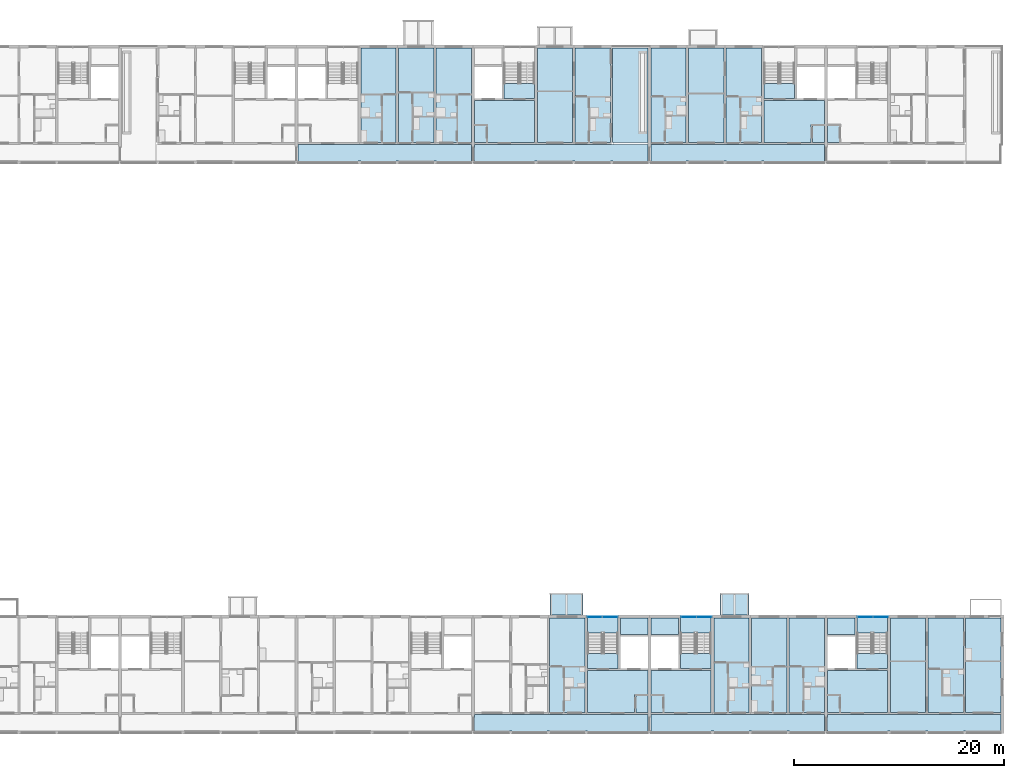
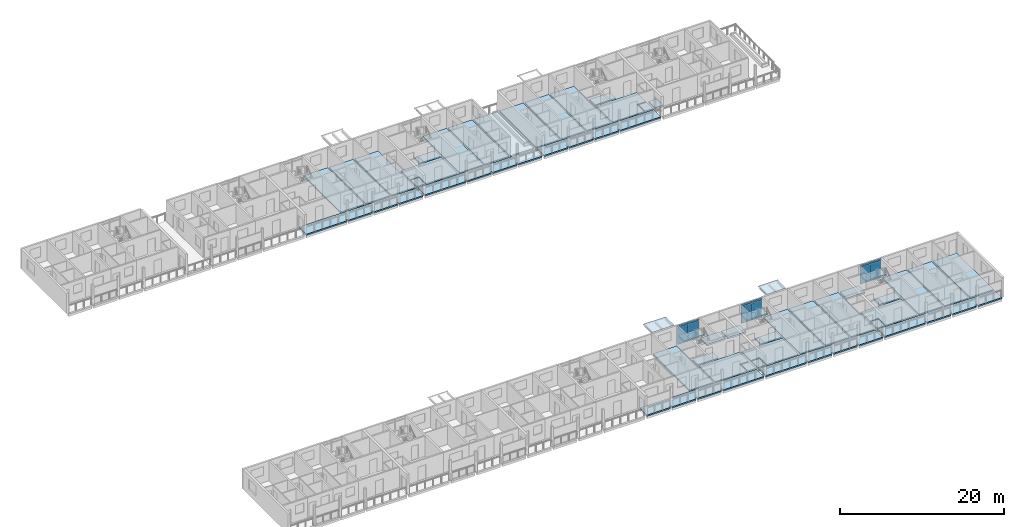
# One storey, part 27 of 94: 46 slabs, 12 plates, 6 elements without a shape of their own.
"""IFC4 building model written with IfcOpenShell, lengths in metres."""

import ifcopenshell
import ifcopenshell.guid

model = None  # the IFC model being written
_history = None  # IfcOwnerHistory: only IFC2X3 demands one
_inside = {}  # id of a spatial element -> (the spatial element, [elements in it])
_under = {}  # id of a project, library or spatial element -> (it, [spatial elements below it])
_declared = {}  # id of a project -> (the project, [libraries it declares])
_typed = {}  # id of a type object -> (the type object, [elements of that type])
_made_of = {}  # id of a material, layer set ... -> (it, [elements and type objects made of it])


def new_model(schema):
    """Start an empty IFC model of exactly this schema.

    Asked for "IFC4X3", IfcOpenShell would pick the latest addendum, in which some entities
    have other attributes; the version numbers below select the first issue.
    IFC2X3 requires an IfcOwnerHistory on every rooted entity: one is made here for all.
    """
    global model, _history
    if schema == "IFC4X3":
        model = ifcopenshell.file(schema_version=(4, 3, 0, 0))
    else:
        model = ifcopenshell.file(schema=schema)
    _inside.clear()
    _under.clear()
    _declared.clear()
    _typed.clear()
    _made_of.clear()
    _history = None
    if model.schema == "IFC2X3":
        org = make("IfcOrganization", Name="unknown")
        user = make(
            "IfcPersonAndOrganization",
            ThePerson=make("IfcPerson", FamilyName="unknown"),
            TheOrganization=org,
        )
        app = make(
            "IfcApplication",
            ApplicationDeveloper=org,
            Version="unknown",
            ApplicationFullName="unknown",
            ApplicationIdentifier="unknown",
        )
        _history = make(
            "IfcOwnerHistory",
            OwningUser=user,
            OwningApplication=app,
            ChangeAction="ADDED",
            CreationDate=0,
        )
    return model


def make(cls, **values):
    """One entity of the class cls with the attributes given. An attribute that is None is left unset."""
    return model.create_entity(
        cls, **{name: value for name, value in values.items() if value is not None}
    )


def rooted(cls, **values):
    """An entity with a GlobalId (a new one), such as an element, a storey or a relation."""
    return make(cls, GlobalId=ifcopenshell.guid.new(), OwnerHistory=_history, **values)


def si_unit(unit_type, name, prefix=None):
    """IfcSIUnit, for example si_unit("LENGTHUNIT", "METRE", prefix="MILLI")."""
    return make("IfcSIUnit", UnitType=unit_type, Prefix=prefix, Name=name)


def assignment(units):
    """IfcUnitAssignment: the units of a project."""
    return None if units is None else make("IfcUnitAssignment", Units=units)


def point(xyz):
    """IfcCartesianPoint."""
    return None if xyz is None else make("IfcCartesianPoint", Coordinates=xyz)


def direction(xyz):
    """IfcDirection."""
    return None if xyz is None else make("IfcDirection", DirectionRatios=xyz)


def frame(location, z_axis=None, x_axis=None):
    """IfcAxis2Placement3D, a coordinate frame: its origin and axes. An axis left out is left unset."""
    return make(
        "IfcAxis2Placement3D",
        Location=point(location),
        Axis=direction(z_axis),
        RefDirection=direction(x_axis),
    )


def frame_2d(location, x_axis=None):
    """IfcAxis2Placement2D, a coordinate frame in the plane: its origin and x axis."""
    return make(
        "IfcAxis2Placement2D", Location=point(location), RefDirection=direction(x_axis)
    )


def origin():
    """The frame at (0, 0, 0) with its axes left unset."""
    return frame((0.0, 0.0, 0.0))


def origin_2d():
    """The frame at (0, 0) in the plane with its x axis left unset."""
    return frame_2d((0.0, 0.0))


def place(relative_to, where):
    """IfcLocalPlacement: puts the frame where relative to a parent placement (None: the world)."""
    return make(
        "IfcLocalPlacement", PlacementRelTo=relative_to, RelativePlacement=where
    )


def context(
    kind, dimensions, precision=None, world=None, true_north=None, identifier=None
):
    """IfcGeometricRepresentationContext, for example the 3D "Model" context."""
    return make(
        "IfcGeometricRepresentationContext",
        ContextIdentifier=identifier,
        ContextType=kind,
        CoordinateSpaceDimension=dimensions,
        Precision=precision,
        WorldCoordinateSystem=world,
        TrueNorth=true_north,
    )


def subcontext(parent, identifier, kind, view, scale=None):
    """IfcGeometricRepresentationSubContext, for example "Body" below "Model"."""
    return make(
        "IfcGeometricRepresentationSubContext",
        ContextIdentifier=identifier,
        ContextType=kind,
        ParentContext=parent,
        TargetScale=scale,
        TargetView=view,
    )


def project(units=None, contexts=None):
    """IfcProject with its units and contexts."""
    return rooted(
        "IfcProject",
        Name="project",
        RepresentationContexts=contexts,
        UnitsInContext=assignment(units),
    )


def spatial(cls, under=None, at=None, **own):
    """A site, building, storey or space (cls), placed at a placement, below another one or the project."""
    s = rooted(cls, ObjectPlacement=at, **own)
    if under is not None:
        _under.setdefault(under.id(), (under, []))[1].append(s)
    return s


def polyline(points):
    """IfcPolyline through the points."""
    return make("IfcPolyline", Points=[point(p) for p in points])


def profile(cls, at=None, kind="AREA", **sizes):
    """A parametric profile (cls). Its sizes go by their IFC names, for example OverallWidth=200.0."""
    return make(cls, ProfileType=kind, Position=at, **sizes)


def rectangle(**sizes):
    """IfcRectangleProfileDef."""
    return profile("IfcRectangleProfileDef", **sizes)


def outline(outer, holes=None, kind="AREA"):
    """IfcArbitraryClosedProfileDef: a profile drawn as a closed curve; with holes, ...WithVoids."""
    if holes is None:
        return make("IfcArbitraryClosedProfileDef", ProfileType=kind, OuterCurve=outer)
    return make(
        "IfcArbitraryProfileDefWithVoids",
        ProfileType=kind,
        OuterCurve=outer,
        InnerCurves=holes,
    )


def extrude(swept, where, along, depth):
    """IfcExtrudedAreaSolid: the profile swept, set in the frame where, extruded along a direction by depth."""
    return make(
        "IfcExtrudedAreaSolid",
        SweptArea=swept,
        Position=where,
        ExtrudedDirection=direction(along),
        Depth=depth,
    )


def shape(context_of_items, identifier, shape_type, items):
    """IfcShapeRepresentation: the items that make up one representation, for example the "Body"."""
    return make(
        "IfcShapeRepresentation",
        ContextOfItems=context_of_items,
        RepresentationIdentifier=identifier,
        RepresentationType=shape_type,
        Items=items,
    )


def material(Name=None, Category=None):
    """IfcMaterial."""
    return make("IfcMaterial", Name=Name, Category=Category)


def layer(
    of_material, thickness, ventilated=None, Name=None, Category=None, Priority=None
):
    """IfcMaterialLayer: one layer of a wall or slab, of a material (None: an air gap)."""
    return make(
        "IfcMaterialLayer",
        Material=of_material,
        LayerThickness=thickness,
        IsVentilated=ventilated,
        Name=Name,
        Category=Category,
        Priority=Priority,
    )


def layer_set(layers, Name=None):
    """IfcMaterialLayerSet."""
    return make("IfcMaterialLayerSet", MaterialLayers=layers, LayerSetName=Name)


def made_of(thing, what):
    """Note that an element or type object is made of a material, layer set ...; save() writes the relation."""
    if what is not None:
        _made_of.setdefault(what.id(), (what, []))[1].append(thing)
    return thing


def type_object(cls, material=None, **own):
    """A type object (cls), such as IfcWallType, which elements share."""
    return made_of(rooted(cls, **own), material)


def element(
    cls,
    number,
    at=None,
    inside=None,
    cuts=None,
    type_object=None,
    material=None,
    context=None,
    identifier="Body",
    shape_type=None,
    held_by="IfcProductDefinitionShape",
    body=None,
    shapes=None,
    **own,
):
    """One element of the class cls, such as IfcWall. Its Tag is "e" and its number.

    at: its placement. inside: the storey or other place that contains it. cuts: it is an
    opening in that element (IfcRelVoidsElement). A single representation is given by context,
    identifier, shape_type and body (its items); several are given by shapes. held_by: the class
    of the entity that holds the representations. save() writes the other relations.
    """
    e = rooted(cls, Tag="e%d" % number, ObjectPlacement=at, **own)
    if body is not None:
        shapes = [shape(context, identifier, shape_type, body)]
    if shapes is not None:
        e.Representation = make(held_by, Representations=shapes)
    if inside is not None:
        _inside.setdefault(inside.id(), (inside, []))[1].append(e)
    if cuts is not None:
        rooted(
            "IfcRelVoidsElement", RelatingBuildingElement=cuts, RelatedOpeningElement=e
        )
    if type_object is not None:
        _typed.setdefault(type_object.id(), (type_object, []))[1].append(e)
    return made_of(e, material)


def aggregate(whole, parts):
    """IfcRelAggregates: a whole, such as a stair, and the parts it consists of."""
    return rooted("IfcRelAggregates", RelatingObject=whole, RelatedObjects=parts)


def save(model, path):
    """Write the relations noted so far, then the file.

    IfcRelAggregates (storeys below a building ...), IfcRelContainedInSpatialStructure (elements
    in a storey), IfcRelDefinesByType, IfcRelAssociatesMaterial and IfcRelDeclares: one each for
    every whole, place, type object, material and project.
    """
    for whole, parts in _under.values():
        aggregate(whole, parts)
    for where, things in _inside.values():
        rooted(
            "IfcRelContainedInSpatialStructure",
            RelatedElements=things,
            RelatingStructure=where,
        )
    for kind, things in _typed.values():
        rooted("IfcRelDefinesByType", RelatedObjects=things, RelatingType=kind)
    for what, things in _made_of.values():
        rooted("IfcRelAssociatesMaterial", RelatedObjects=things, RelatingMaterial=what)
    for by, libraries in _declared.values():
        rooted("IfcRelDeclares", RelatingContext=by, RelatedDefinitions=libraries)
    model.write(path)


model = new_model("IFC4")

# Units and contexts
model_context = context("Model", 3, precision=1e-05, world=origin(), true_north=direction((0.0, 1.0)))
body_context = subcontext(model_context, "Body", "Model", "MODEL_VIEW")
ifc_project = project(units=[si_unit("LENGTHUNIT", "METRE"), si_unit("AREAUNIT", "SQUARE_METRE"), si_unit("VOLUMEUNIT", "CUBIC_METRE"), si_unit("PLANEANGLEUNIT", "RADIAN"), si_unit("MASSUNIT", "GRAM", prefix="KILO")], contexts=[model_context])

# Site, building, storey
site_placement = place(None, origin())
site = spatial("IfcSite", under=ifc_project, at=site_placement, CompositionType="ELEMENT")
building_placement = place(site_placement, origin())
building = spatial("IfcBuilding", under=site, at=building_placement, Name="Ridgestep Commons", CompositionType="ELEMENT")
storey_placement = place(building_placement, frame((0.0, 0.0, 21.0)))
storey = spatial("IfcBuildingStorey", under=building, at=storey_placement, Name="L07", CompositionType="ELEMENT", Elevation=21.0)

# Slabs
ifc_material_1 = material(Name="Precast concrete C40/50", Category="concrete")
ifc_layer_1 = layer(ifc_material_1, 0.199951171875)
ifc_layer_set_1 = layer_set([ifc_layer_1], Name="Gallery slab 200")
slab_type_1 = type_object("IfcSlabType", Name="Gallery slab 200", PredefinedType="FLOOR", material=ifc_layer_set_1)
slab_1_placement = place(storey_placement, frame((0.0, 0.0, -0.199951171875)))
element("IfcSlab", 1, at=slab_1_placement, inside=storey, type_object=slab_type_1, Name="Gallery slab C3 L07", PredefinedType="FLOOR", context=body_context, shape_type="SweptSolid", body=[
    extrude(outline(polyline([(197.050048828125, 67.800048828125), (180.550048828125, 67.800048828125), (180.550048828125, 66.0), (186.27490234375, 66.0), (186.27490234375, 66.25), (186.52490234375, 66.25), (186.52490234375, 66.0), (189.875, 66.0), (189.875, 66.25), (190.125, 66.25), (190.125, 66.0), (193.47509765625, 66.0), (193.47509765625, 66.25), (193.72509765625, 66.25), (193.72509765625, 66.0), (197.050048828125, 66.0), (197.050048828125, 67.800048828125)])), origin(), (0.0, 0.0, 1.0), 0.199951171875),
])
slab_2_placement = place(storey_placement, frame((0.0, 0.0, -0.199951171875)))
element("IfcSlab", 2, at=slab_2_placement, inside=storey, type_object=slab_type_1, Name="Gallery slab C4 L07", PredefinedType="FLOOR", context=body_context, shape_type="SweptSolid", body=[
    extrude(outline(polyline([(213.85009765625, 67.800048828125), (197.35009765625, 67.800048828125), (197.35009765625, 66.0), (203.074951171875, 66.0), (203.074951171875, 66.25), (203.324951171875, 66.25), (203.324951171875, 66.0), (206.675048828125, 66.0), (206.675048828125, 66.25), (206.925048828125, 66.25), (206.925048828125, 66.0), (210.27490234375, 66.0), (210.27490234375, 66.25), (210.52490234375, 66.25), (210.52490234375, 66.0), (213.85009765625, 66.0), (213.85009765625, 67.800048828125)])), origin(), (0.0, 0.0, 1.0), 0.199951171875),
])
slab_3_placement = place(storey_placement, frame((0.0, 0.0, -0.199951171875)))
element("IfcSlab", 3, at=slab_3_placement, inside=storey, type_object=slab_type_1, Name="Gallery slab C5 L07", PredefinedType="FLOOR", context=body_context, shape_type="SweptSolid", body=[
    extrude(outline(polyline([(230.64990234375, 67.800048828125), (214.14990234375, 67.800048828125), (214.14990234375, 66.0), (217.47509765625, 66.0), (217.47509765625, 66.25), (217.72509765625, 66.25), (217.72509765625, 66.0), (221.074951171875, 66.0), (221.074951171875, 66.25), (221.324951171875, 66.25), (221.324951171875, 66.0), (224.675048828125, 66.0), (224.675048828125, 66.25), (224.925048828125, 66.25), (224.925048828125, 66.0), (230.64990234375, 66.0), (230.64990234375, 67.800048828125)])), origin(), (0.0, 0.0, 1.0), 0.199951171875),
])
slab_4_placement = place(storey_placement, frame((0.0, 0.0, -0.199951171875)))
element("IfcSlab", 4, at=slab_4_placement, inside=storey, type_object=slab_type_1, Name="Gallery slab D4 L07", PredefinedType="FLOOR", context=body_context, shape_type="SweptSolid", body=[
    extrude(outline(polyline([(213.85009765625, 13.550048828125), (197.35009765625, 13.550048828125), (197.35009765625, 11.75), (200.675048828125, 11.75), (200.675048828125, 12.0), (200.925048828125, 12.0), (200.925048828125, 11.75), (204.27490234375, 11.75), (204.27490234375, 12.0), (204.52490234375, 12.0), (204.52490234375, 11.75), (207.875, 11.75), (207.875, 12.0), (208.125, 12.0), (208.125, 11.75), (213.85009765625, 11.75), (213.85009765625, 13.550048828125)])), origin(), (0.0, 0.0, 1.0), 0.199951171875),
])
slab_5_placement = place(storey_placement, frame((0.0, 0.0, -0.199951171875)))
element("IfcSlab", 5, at=slab_5_placement, inside=storey, type_object=slab_type_1, Name="Gallery slab D5 L07", PredefinedType="FLOOR", context=body_context, shape_type="SweptSolid", body=[
    extrude(outline(polyline([(230.64990234375, 13.550048828125), (214.14990234375, 13.550048828125), (214.14990234375, 11.75), (219.875, 11.75), (219.875, 12.0), (220.125, 12.0), (220.125, 11.75), (223.47509765625, 11.75), (223.47509765625, 12.0), (223.72509765625, 12.0), (223.72509765625, 11.75), (227.074951171875, 11.75), (227.074951171875, 12.0), (227.324951171875, 12.0), (227.324951171875, 11.75), (230.64990234375, 11.75), (230.64990234375, 13.550048828125)])), origin(), (0.0, 0.0, 1.0), 0.199951171875),
])
slab_6_placement = place(storey_placement, frame((0.0, 0.0, -0.199951171875)))
element("IfcSlab", 6, at=slab_6_placement, inside=storey, type_object=slab_type_1, Name="Gallery slab D6 L07", PredefinedType="FLOOR", context=body_context, shape_type="SweptSolid", body=[
    extrude(outline(polyline([(247.449951171875, 13.550048828125), (230.949951171875, 13.550048828125), (230.949951171875, 11.75), (236.675048828125, 11.75), (236.675048828125, 12.0), (236.925048828125, 12.0), (236.925048828125, 11.75), (240.27490234375, 11.75), (240.27490234375, 12.0), (240.52490234375, 12.0), (240.52490234375, 11.75), (243.875, 11.75), (243.875, 12.0), (244.125, 12.0), (244.125, 11.75), (247.449951171875, 11.75), (247.449951171875, 13.550048828125)])), origin(), (0.0, 0.0, 1.0), 0.199951171875),
])

# Curtain wall, plates
ifc_material_2 = material(Name="Aluminium 6063-T6 and glass", Category="aluminium")
curtain_wall_type = type_object("IfcCurtainWallType", Name="Curtain wall stair strip", PredefinedType="NOTDEFINED", material=ifc_material_2)
curtain_wall_1_placement = place(storey_placement, origin())
curtain_wall_1 = element("IfcCurtainWall", 7, at=curtain_wall_1_placement, inside=storey, type_object=curtain_wall_type, Name="Curtain wall D4C level 07", PredefinedType="NOTDEFINED")
ifc_material_3 = material(Name="Glass laminated 6/16/6 low-emissivity", Category="glass")
ifc_layer_2 = layer(ifc_material_3, 0.028076171875)
ifc_layer_set_2 = layer_set([ifc_layer_2], Name="Glazing panel 28")
plate_type_1 = type_object("IfcPlateType", Name="Glazing panel 28", PredefinedType="CURTAIN_PANEL", material=ifc_layer_set_2)
plate_1_placement = place(storey_placement, frame((208.771240234375, 22.830078125, 0.06005859375), z_axis=(0.0, 0.0, 1.0), x_axis=(1.0, 0.0, 0.0)))
plate_1 = element("IfcPlate", 8, at=plate_1_placement, type_object=plate_type_1, Name="CW1 panel 1.1", PredefinedType="CURTAIN_PANEL", context=body_context, shape_type="SweptSolid", body=[
    extrude(rectangle(XDim=1.422607421875, YDim=0.028076171875, at=origin_2d()), origin(), (0.0, 0.0, 1.0), 2.5),
])
plate_2_placement = place(storey_placement, frame((210.253662109375, 22.830078125, 0.06005859375), z_axis=(0.0, 0.0, 1.0), x_axis=(1.0, 0.0, 0.0)))
plate_2 = element("IfcPlate", 9, at=plate_2_placement, type_object=plate_type_1, Name="CW1 panel 2.1", PredefinedType="CURTAIN_PANEL", context=body_context, shape_type="SweptSolid", body=[
    extrude(rectangle(XDim=1.422607421875, YDim=0.028076171875, at=origin_2d()), origin(), (0.0, 0.0, 1.0), 2.5),
])

curtain_wall_2_placement = place(storey_placement, origin())
curtain_wall_2 = element("IfcCurtainWall", 10, at=curtain_wall_2_placement, inside=storey, type_object=curtain_wall_type, Name="Curtain wall D5C level 07", PredefinedType="NOTDEFINED")
plate_3_placement = place(storey_placement, frame((217.746337890625, 22.830078125, 0.06005859375), z_axis=(0.0, 0.0, 1.0), x_axis=(1.0, 0.0, 0.0)))
plate_3 = element("IfcPlate", 11, at=plate_3_placement, type_object=plate_type_1, Name="CW1 panel 1.1", PredefinedType="CURTAIN_PANEL", context=body_context, shape_type="SweptSolid", body=[
    extrude(rectangle(XDim=1.422607421875, YDim=0.028076171875, at=origin_2d()), origin(), (0.0, 0.0, 1.0), 2.5),
])
plate_4_placement = place(storey_placement, frame((219.228759765625, 22.830078125, 0.06005859375), z_axis=(0.0, 0.0, 1.0), x_axis=(1.0, 0.0, 0.0)))
plate_4 = element("IfcPlate", 12, at=plate_4_placement, type_object=plate_type_1, Name="CW1 panel 2.1", PredefinedType="CURTAIN_PANEL", context=body_context, shape_type="SweptSolid", body=[
    extrude(rectangle(XDim=1.422607421875, YDim=0.028076171875, at=origin_2d()), origin(), (0.0, 0.0, 1.0), 2.5),
])

curtain_wall_3_placement = place(storey_placement, origin())
curtain_wall_3 = element("IfcCurtainWall", 13, at=curtain_wall_3_placement, inside=storey, type_object=curtain_wall_type, Name="Curtain wall D6C level 07", PredefinedType="NOTDEFINED")
plate_5_placement = place(storey_placement, frame((234.546142578125, 22.830078125, 0.06005859375), z_axis=(0.0, 0.0, 1.0), x_axis=(1.0, 0.0, 0.0)))
plate_5 = element("IfcPlate", 14, at=plate_5_placement, type_object=plate_type_1, Name="CW1 panel 1.1", PredefinedType="CURTAIN_PANEL", context=body_context, shape_type="SweptSolid", body=[
    extrude(rectangle(XDim=1.422607421875, YDim=0.028076171875, at=origin_2d()), origin(), (0.0, 0.0, 1.0), 2.5),
])
plate_6_placement = place(storey_placement, frame((236.02880859375, 22.830078125, 0.06005859375), z_axis=(0.0, 0.0, 1.0), x_axis=(1.0, 0.0, 0.0)))
plate_6 = element("IfcPlate", 15, at=plate_6_placement, type_object=plate_type_1, Name="CW1 panel 2.1", PredefinedType="CURTAIN_PANEL", context=body_context, shape_type="SweptSolid", body=[
    extrude(rectangle(XDim=1.422607421875, YDim=0.028076171875, at=origin_2d()), origin(), (0.0, 0.0, 1.0), 2.5),
])

# Slabs
ifc_material_4 = material(Name="Precast concrete C50/60", Category="concrete")
ifc_layer_3 = layer(ifc_material_4, 0.199951171875)
ifc_layer_set_3 = layer_set([ifc_layer_3], Name="Hollow-core plank 200")
slab_type_2 = type_object("IfcSlabType", Name="Hollow-core plank 200", PredefinedType="FLOOR", material=ifc_layer_set_3)
slab_7_placement = place(storey_placement, frame((0.0, 0.0, -0.199951171875)))
element("IfcSlab", 16, at=slab_7_placement, inside=storey, type_object=slab_type_2, Name="Floor plank C3T3 L07", PredefinedType="FLOOR", context=body_context, shape_type="SweptSolid", body=[
    extrude(outline(polyline([(189.89990234375, 68.0), (189.89990234375, 77.0), (186.52490234375, 77.0), (186.52490234375, 68.0), (189.89990234375, 68.0)])), origin(), (0.0, 0.0, 1.0), 0.199951171875),
])
slab_8_placement = place(storey_placement, frame((0.0, 0.0, -0.199951171875)))
element("IfcSlab", 17, at=slab_8_placement, inside=storey, type_object=slab_type_2, Name="Floor plank C3T2 L07", PredefinedType="FLOOR", context=body_context, shape_type="SweptSolid", body=[
    extrude(outline(polyline([(193.5, 68.0), (193.5, 77.0), (190.10009765625, 77.0), (190.10009765625, 68.0), (193.5, 68.0)])), origin(), (0.0, 0.0, 1.0), 0.199951171875),
])
slab_9_placement = place(storey_placement, frame((0.0, 0.0, -0.199951171875)))
element("IfcSlab", 18, at=slab_9_placement, inside=storey, type_object=slab_type_2, Name="Floor plank C3T1 L07", PredefinedType="FLOOR", context=body_context, shape_type="SweptSolid", body=[
    extrude(outline(polyline([(197.050048828125, 68.0), (197.050048828125, 77.0), (193.699951171875, 77.0), (193.699951171875, 68.0), (197.050048828125, 68.0)])), origin(), (0.0, 0.0, 1.0), 0.199951171875),
])
slab_10_placement = place(storey_placement, frame((0.0, 0.0, -0.199951171875)))
element("IfcSlab", 19, at=slab_10_placement, inside=storey, type_object=slab_type_2, Name="Floor plank C4T3 L07", PredefinedType="FLOOR", context=body_context, shape_type="SweptSolid", body=[
    extrude(outline(polyline([(206.699951171875, 68.0), (206.699951171875, 77.0), (203.324951171875, 77.0), (203.324951171875, 68.0), (206.699951171875, 68.0)])), origin(), (0.0, 0.0, 1.0), 0.199951171875),
])
slab_11_placement = place(storey_placement, frame((0.0, 0.0, -0.199951171875)))
element("IfcSlab", 20, at=slab_11_placement, inside=storey, type_object=slab_type_2, Name="Floor plank C4T2 L07", PredefinedType="FLOOR", context=body_context, shape_type="SweptSolid", body=[
    extrude(outline(polyline([(210.300048828125, 68.0), (210.300048828125, 77.0), (206.89990234375, 77.0), (206.89990234375, 68.0), (210.300048828125, 68.0)])), origin(), (0.0, 0.0, 1.0), 0.199951171875),
])
slab_12_placement = place(storey_placement, frame((0.0, 0.0, -0.199951171875)))
element("IfcSlab", 21, at=slab_12_placement, inside=storey, type_object=slab_type_2, Name="Floor plank C5T1 L07", PredefinedType="FLOOR", context=body_context, shape_type="SweptSolid", body=[
    extrude(outline(polyline([(217.5, 68.0), (217.5, 77.0), (214.14990234375, 77.0), (214.14990234375, 68.0), (217.5, 68.0)])), origin(), (0.0, 0.0, 1.0), 0.199951171875),
])
slab_13_placement = place(storey_placement, frame((0.0, 0.0, -0.199951171875)))
element("IfcSlab", 22, at=slab_13_placement, inside=storey, type_object=slab_type_2, Name="Floor plank C5T2 L07", PredefinedType="FLOOR", context=body_context, shape_type="SweptSolid", body=[
    extrude(outline(polyline([(221.10009765625, 68.0), (221.10009765625, 77.0), (217.699951171875, 77.0), (217.699951171875, 68.0), (221.10009765625, 68.0)])), origin(), (0.0, 0.0, 1.0), 0.199951171875),
])
slab_14_placement = place(storey_placement, frame((0.0, 0.0, -0.199951171875)))
element("IfcSlab", 23, at=slab_14_placement, inside=storey, type_object=slab_type_2, Name="Floor plank C5T3 L07", PredefinedType="FLOOR", context=body_context, shape_type="SweptSolid", body=[
    extrude(outline(polyline([(224.675048828125, 68.0), (224.675048828125, 77.0), (221.300048828125, 77.0), (221.300048828125, 68.0), (224.675048828125, 68.0)])), origin(), (0.0, 0.0, 1.0), 0.199951171875),
])
slab_15_placement = place(storey_placement, frame((0.0, 0.0, -0.199951171875)))
element("IfcSlab", 24, at=slab_15_placement, inside=storey, type_object=slab_type_2, Name="Floor plank D4T3 L07", PredefinedType="FLOOR", context=body_context, shape_type="SweptSolid", body=[
    extrude(outline(polyline([(207.875, 13.75), (207.875, 22.75), (204.5, 22.75), (204.5, 13.75), (207.875, 13.75)])), origin(), (0.0, 0.0, 1.0), 0.199951171875),
])
slab_16_placement = place(storey_placement, frame((0.0, 0.0, -0.199951171875)))
element("IfcSlab", 25, at=slab_16_placement, inside=storey, type_object=slab_type_2, Name="Floor plank D5T3 L07", PredefinedType="FLOOR", context=body_context, shape_type="SweptSolid", body=[
    extrude(outline(polyline([(223.5, 13.75), (223.5, 22.75), (220.125, 22.75), (220.125, 13.75), (223.5, 13.75)])), origin(), (0.0, 0.0, 1.0), 0.199951171875),
])
slab_17_placement = place(storey_placement, frame((0.0, 0.0, -0.199951171875)))
element("IfcSlab", 26, at=slab_17_placement, inside=storey, type_object=slab_type_2, Name="Floor plank D5T2 L07", PredefinedType="FLOOR", context=body_context, shape_type="SweptSolid", body=[
    extrude(outline(polyline([(227.10009765625, 13.75), (227.10009765625, 22.75), (223.699951171875, 22.75), (223.699951171875, 13.75), (227.10009765625, 13.75)])), origin(), (0.0, 0.0, 1.0), 0.199951171875),
])
slab_18_placement = place(storey_placement, frame((0.0, 0.0, -0.199951171875)))
element("IfcSlab", 27, at=slab_18_placement, inside=storey, type_object=slab_type_2, Name="Floor plank D5T1 L07", PredefinedType="FLOOR", context=body_context, shape_type="SweptSolid", body=[
    extrude(outline(polyline([(230.64990234375, 13.75), (230.64990234375, 22.75), (227.300048828125, 22.75), (227.300048828125, 13.75), (230.64990234375, 13.75)])), origin(), (0.0, 0.0, 1.0), 0.199951171875),
])
slab_19_placement = place(storey_placement, frame((0.0, 0.0, -0.199951171875)))
element("IfcSlab", 28, at=slab_19_placement, inside=storey, type_object=slab_type_2, Name="Floor plank D6T3 L07", PredefinedType="FLOOR", context=body_context, shape_type="SweptSolid", body=[
    extrude(outline(polyline([(240.300048828125, 13.75), (240.300048828125, 22.75), (236.925048828125, 22.75), (236.925048828125, 13.75), (240.300048828125, 13.75)])), origin(), (0.0, 0.0, 1.0), 0.199951171875),
])
slab_20_placement = place(storey_placement, frame((0.0, 0.0, -0.199951171875)))
element("IfcSlab", 29, at=slab_20_placement, inside=storey, type_object=slab_type_2, Name="Floor plank D6T2 L07", PredefinedType="FLOOR", context=body_context, shape_type="SweptSolid", body=[
    extrude(outline(polyline([(243.89990234375, 13.75), (243.89990234375, 22.75), (240.5, 22.75), (240.5, 13.75), (243.89990234375, 13.75)])), origin(), (0.0, 0.0, 1.0), 0.199951171875),
])
slab_21_placement = place(storey_placement, frame((0.0, 0.0, -0.199951171875)))
element("IfcSlab", 30, at=slab_21_placement, inside=storey, type_object=slab_type_2, Name="Floor plank D6T1 L07", PredefinedType="FLOOR", context=body_context, shape_type="SweptSolid", body=[
    extrude(outline(polyline([(247.449951171875, 13.75), (247.449951171875, 22.75), (244.10009765625, 22.75), (244.10009765625, 13.75), (247.449951171875, 13.75)])), origin(), (0.0, 0.0, 1.0), 0.199951171875),
])
ifc_material_5 = material(Name="Precast concrete C50/60", Category="concrete")
ifc_layer_4 = layer(ifc_material_5, 0.25)
ifc_layer_set_4 = layer_set([ifc_layer_4], Name="Hollow-core plank 250")
slab_type_3 = type_object("IfcSlabType", Name="Hollow-core plank 250", PredefinedType="FLOOR", material=ifc_layer_set_4)
slab_22_placement = place(storey_placement, frame((0.0, 0.0, -0.25)))
element("IfcSlab", 31, at=slab_22_placement, inside=storey, type_object=slab_type_3, Name="Floor plank C4C L07", PredefinedType="FLOOR", context=body_context, shape_type="SweptSolid", body=[
    extrude(outline(polyline([(198.60009765625, 68.0), (203.074951171875, 68.0), (203.074951171875, 72.0), (197.35009765625, 72.0), (197.35009765625, 69.719970703125), (198.47998046875, 69.719970703125), (198.60009765625, 69.719970703125), (198.60009765625, 68.0)])), origin(), (0.0, 0.0, 1.0), 0.25),
])
slab_23_placement = place(storey_placement, frame((0.0, 0.0, -0.25)))
element("IfcSlab", 32, at=slab_23_placement, inside=storey, type_object=slab_type_3, Name="Floor plank C4C L07", PredefinedType="FLOOR", context=body_context, shape_type="SweptSolid", body=[
    extrude(outline(polyline([(203.074951171875, 72.199951171875), (203.074951171875, 73.60009765625), (200.175048828125, 73.60009765625), (200.175048828125, 72.199951171875), (203.074951171875, 72.199951171875)])), origin(), (0.0, 0.0, 1.0), 0.25),
])
slab_24_placement = place(storey_placement, frame((0.0, 0.0, -0.25)))
element("IfcSlab", 33, at=slab_24_placement, inside=storey, type_object=slab_type_3, Name="Floor plank C4C L07", PredefinedType="FLOOR", context=body_context, shape_type="SweptSolid", body=[
    extrude(outline(polyline([(198.47998046875, 69.60009765625), (197.35009765625, 69.60009765625), (197.35009765625, 68.0), (198.47998046875, 68.0), (198.47998046875, 69.60009765625)])), origin(), (0.0, 0.0, 1.0), 0.25),
])
slab_25_placement = place(storey_placement, frame((0.0, 0.0, -0.25)))
element("IfcSlab", 34, at=slab_25_placement, inside=storey, type_object=slab_type_3, Name="Floor plank C5C L07", PredefinedType="FLOOR", context=body_context, shape_type="SweptSolid", body=[
    extrude(outline(polyline([(229.52001953125, 69.719970703125), (230.64990234375, 69.719970703125), (230.64990234375, 72.0), (224.925048828125, 72.0), (224.925048828125, 68.0), (229.39990234375, 68.0), (229.39990234375, 69.719970703125), (229.52001953125, 69.719970703125)])), origin(), (0.0, 0.0, 1.0), 0.25),
])
slab_26_placement = place(storey_placement, frame((0.0, 0.0, -0.25)))
element("IfcSlab", 35, at=slab_26_placement, inside=storey, type_object=slab_type_3, Name="Floor plank C5C L07", PredefinedType="FLOOR", context=body_context, shape_type="SweptSolid", body=[
    extrude(outline(polyline([(227.824951171875, 72.199951171875), (227.824951171875, 73.60009765625), (224.925048828125, 73.60009765625), (224.925048828125, 72.199951171875), (227.824951171875, 72.199951171875)])), origin(), (0.0, 0.0, 1.0), 0.25),
])
slab_27_placement = place(storey_placement, frame((0.0, 0.0, -0.25)))
element("IfcSlab", 36, at=slab_27_placement, inside=storey, type_object=slab_type_3, Name="Floor plank C5C L07", PredefinedType="FLOOR", context=body_context, shape_type="SweptSolid", body=[
    extrude(outline(polyline([(229.52001953125, 68.0), (230.64990234375, 68.0), (230.64990234375, 69.60009765625), (229.52001953125, 69.60009765625), (229.52001953125, 68.0)])), origin(), (0.0, 0.0, 1.0), 0.25),
])
slab_28_placement = place(storey_placement, frame((0.0, 0.0, -0.25)))
element("IfcSlab", 37, at=slab_28_placement, inside=storey, type_object=slab_type_3, Name="Floor plank C6C L07", PredefinedType="FLOOR", context=body_context, shape_type="SweptSolid", body=[
    extrude(outline(polyline([(232.080078125, 69.60009765625), (230.949951171875, 69.60009765625), (230.949951171875, 68.0), (232.080078125, 68.0), (232.080078125, 69.60009765625)])), origin(), (0.0, 0.0, 1.0), 0.25),
])
slab_29_placement = place(storey_placement, frame((0.0, 0.0, -0.25)))
element("IfcSlab", 38, at=slab_29_placement, inside=storey, type_object=slab_type_3, Name="Floor plank D4C L07", PredefinedType="FLOOR", context=body_context, shape_type="SweptSolid", body=[
    extrude(outline(polyline([(212.719970703125, 15.469970703125), (213.85009765625, 15.469970703125), (213.85009765625, 17.75), (208.125, 17.75), (208.125, 13.75), (212.60009765625, 13.75), (212.60009765625, 15.469970703125), (212.719970703125, 15.469970703125)])), origin(), (0.0, 0.0, 1.0), 0.25),
])
slab_30_placement = place(storey_placement, frame((0.0, 0.0, -0.25)))
element("IfcSlab", 39, at=slab_30_placement, inside=storey, type_object=slab_type_3, Name="Floor plank D4C L07", PredefinedType="FLOOR", context=body_context, shape_type="SweptSolid", body=[
    extrude(outline(polyline([(213.85009765625, 21.14990234375), (213.85009765625, 22.75), (211.22509765625, 22.75), (211.22509765625, 21.14990234375), (213.85009765625, 21.14990234375)])), origin(), (0.0, 0.0, 1.0), 0.25),
])
slab_31_placement = place(storey_placement, frame((0.0, 0.0, -0.25)))
element("IfcSlab", 40, at=slab_31_placement, inside=storey, type_object=slab_type_3, Name="Floor plank D4C L07", PredefinedType="FLOOR", context=body_context, shape_type="SweptSolid", body=[
    extrude(outline(polyline([(211.02490234375, 17.949951171875), (211.02490234375, 19.35009765625), (208.125, 19.35009765625), (208.125, 17.949951171875), (211.02490234375, 17.949951171875)])), origin(), (0.0, 0.0, 1.0), 0.25),
])
slab_32_placement = place(storey_placement, frame((0.0, 0.0, -0.25)))
element("IfcSlab", 41, at=slab_32_placement, inside=storey, type_object=slab_type_3, Name="Floor plank D4C L07", PredefinedType="FLOOR", context=body_context, shape_type="SweptSolid", body=[
    extrude(outline(polyline([(212.719970703125, 13.75), (213.85009765625, 13.75), (213.85009765625, 15.35009765625), (212.719970703125, 15.35009765625), (212.719970703125, 13.75)])), origin(), (0.0, 0.0, 1.0), 0.25),
])
slab_33_placement = place(storey_placement, frame((0.0, 0.0, -0.25)))
element("IfcSlab", 42, at=slab_33_placement, inside=storey, type_object=slab_type_3, Name="Floor plank D5C L07", PredefinedType="FLOOR", context=body_context, shape_type="SweptSolid", body=[
    extrude(outline(polyline([(215.39990234375, 13.75), (219.875, 13.75), (219.875, 17.75), (214.14990234375, 17.75), (214.14990234375, 15.469970703125), (215.280029296875, 15.469970703125), (215.39990234375, 15.469970703125), (215.39990234375, 13.75)])), origin(), (0.0, 0.0, 1.0), 0.25),
])
slab_34_placement = place(storey_placement, frame((0.0, 0.0, -0.25)))
element("IfcSlab", 43, at=slab_34_placement, inside=storey, type_object=slab_type_3, Name="Floor plank D5C L07", PredefinedType="FLOOR", context=body_context, shape_type="SweptSolid", body=[
    extrude(outline(polyline([(216.77490234375, 22.75), (214.14990234375, 22.75), (214.14990234375, 21.14990234375), (216.77490234375, 21.14990234375), (216.77490234375, 22.75)])), origin(), (0.0, 0.0, 1.0), 0.25),
])
slab_35_placement = place(storey_placement, frame((0.0, 0.0, -0.25)))
element("IfcSlab", 44, at=slab_35_placement, inside=storey, type_object=slab_type_3, Name="Floor plank D5C L07", PredefinedType="FLOOR", context=body_context, shape_type="SweptSolid", body=[
    extrude(outline(polyline([(219.875, 17.949951171875), (219.875, 19.35009765625), (216.97509765625, 19.35009765625), (216.97509765625, 17.949951171875), (219.875, 17.949951171875)])), origin(), (0.0, 0.0, 1.0), 0.25),
])
slab_36_placement = place(storey_placement, frame((0.0, 0.0, -0.25)))
element("IfcSlab", 45, at=slab_36_placement, inside=storey, type_object=slab_type_3, Name="Floor plank D5C L07", PredefinedType="FLOOR", context=body_context, shape_type="SweptSolid", body=[
    extrude(outline(polyline([(215.280029296875, 15.35009765625), (214.14990234375, 15.35009765625), (214.14990234375, 13.75), (215.280029296875, 13.75), (215.280029296875, 15.35009765625)])), origin(), (0.0, 0.0, 1.0), 0.25),
])
slab_37_placement = place(storey_placement, frame((0.0, 0.0, -0.25)))
element("IfcSlab", 46, at=slab_37_placement, inside=storey, type_object=slab_type_3, Name="Floor plank D6C L07", PredefinedType="FLOOR", context=body_context, shape_type="SweptSolid", body=[
    extrude(outline(polyline([(232.199951171875, 13.75), (236.675048828125, 13.75), (236.675048828125, 17.75), (230.949951171875, 17.75), (230.949951171875, 15.469970703125), (232.080078125, 15.469970703125), (232.199951171875, 15.469970703125), (232.199951171875, 13.75)])), origin(), (0.0, 0.0, 1.0), 0.25),
])
slab_38_placement = place(storey_placement, frame((0.0, 0.0, -0.25)))
element("IfcSlab", 47, at=slab_38_placement, inside=storey, type_object=slab_type_3, Name="Floor plank D6C L07", PredefinedType="FLOOR", context=body_context, shape_type="SweptSolid", body=[
    extrude(outline(polyline([(233.574951171875, 22.75), (230.949951171875, 22.75), (230.949951171875, 21.14990234375), (233.574951171875, 21.14990234375), (233.574951171875, 22.75)])), origin(), (0.0, 0.0, 1.0), 0.25),
])
slab_39_placement = place(storey_placement, frame((0.0, 0.0, -0.25)))
element("IfcSlab", 48, at=slab_39_placement, inside=storey, type_object=slab_type_3, Name="Floor plank D6C L07", PredefinedType="FLOOR", context=body_context, shape_type="SweptSolid", body=[
    extrude(outline(polyline([(236.675048828125, 17.949951171875), (236.675048828125, 19.35009765625), (233.77490234375, 19.35009765625), (233.77490234375, 17.949951171875), (236.675048828125, 17.949951171875)])), origin(), (0.0, 0.0, 1.0), 0.25),
])
slab_40_placement = place(storey_placement, frame((0.0, 0.0, -0.25)))
element("IfcSlab", 49, at=slab_40_placement, inside=storey, type_object=slab_type_3, Name="Floor plank D6C L07", PredefinedType="FLOOR", context=body_context, shape_type="SweptSolid", body=[
    extrude(outline(polyline([(232.080078125, 15.35009765625), (230.949951171875, 15.35009765625), (230.949951171875, 13.75), (232.080078125, 13.75), (232.080078125, 15.35009765625)])), origin(), (0.0, 0.0, 1.0), 0.25),
])
ifc_material_6 = material(Name="Precast concrete C50/60", Category="concrete")
ifc_layer_5 = layer(ifc_material_6, 0.25)
ifc_layer_set_5 = layer_set([ifc_layer_5], Name="Roof slab 250")
slab_type_4 = type_object("IfcSlabType", Name="Roof slab 250", PredefinedType="ROOF", material=ifc_layer_set_5)
slab_41_placement = place(storey_placement, frame((0.0, 0.0, -0.25)))
element("IfcSlab", 50, at=slab_41_placement, inside=storey, type_object=slab_type_4, Name="Terrace slab C4T1", PredefinedType="ROOF", context=body_context, shape_type="SweptSolid", body=[
    extrude(outline(polyline([(213.85009765625, 68.0), (213.85009765625, 77.0), (210.5, 77.0), (210.5, 68.0), (213.85009765625, 68.0)])), origin(), (0.0, 0.0, 1.0), 0.25),
])

# Plate
ifc_material_7 = material(Name="Aluminium 6063-T6 and mineral wool", Category="aluminium")
ifc_layer_6 = layer(ifc_material_7, 0.0400390625)
ifc_layer_set_6 = layer_set([ifc_layer_6], Name="Spandrel panel 40")
plate_type_2 = type_object("IfcPlateType", Name="Spandrel panel 40", PredefinedType="CURTAIN_PANEL", material=ifc_layer_set_6)
plate_7_placement = place(storey_placement, frame((208.771240234375, 22.830078125, 2.6201171875), z_axis=(0.0, 0.0, 1.0), x_axis=(1.0, 0.0, 0.0)))
plate_7 = element("IfcPlate", 51, at=plate_7_placement, type_object=plate_type_2, Name="CW1 panel 1.2", PredefinedType="CURTAIN_PANEL", context=body_context, shape_type="SweptSolid", body=[
    extrude(rectangle(XDim=1.422607421875, YDim=0.0400390625, at=origin_2d()), origin(), (0.0, 0.0, 1.0), 0.320068359375),
])

plate_8_placement = place(storey_placement, frame((210.253662109375, 22.830078125, 2.6201171875), z_axis=(0.0, 0.0, 1.0), x_axis=(1.0, 0.0, 0.0)))
plate_8 = element("IfcPlate", 52, at=plate_8_placement, type_object=plate_type_2, Name="CW1 panel 2.2", PredefinedType="CURTAIN_PANEL", context=body_context, shape_type="SweptSolid", body=[
    extrude(rectangle(XDim=1.422607421875, YDim=0.0400390625, at=origin_2d()), origin(), (0.0, 0.0, 1.0), 0.320068359375),
])

aggregate(curtain_wall_1, [plate_1, plate_7, plate_2, plate_8])

plate_9_placement = place(storey_placement, frame((217.746337890625, 22.830078125, 2.6201171875), z_axis=(0.0, 0.0, 1.0), x_axis=(1.0, 0.0, 0.0)))
plate_9 = element("IfcPlate", 53, at=plate_9_placement, type_object=plate_type_2, Name="CW1 panel 1.2", PredefinedType="CURTAIN_PANEL", context=body_context, shape_type="SweptSolid", body=[
    extrude(rectangle(XDim=1.422607421875, YDim=0.0400390625, at=origin_2d()), origin(), (0.0, 0.0, 1.0), 0.320068359375),
])

plate_10_placement = place(storey_placement, frame((219.228759765625, 22.830078125, 2.6201171875), z_axis=(0.0, 0.0, 1.0), x_axis=(1.0, 0.0, 0.0)))
plate_10 = element("IfcPlate", 54, at=plate_10_placement, type_object=plate_type_2, Name="CW1 panel 2.2", PredefinedType="CURTAIN_PANEL", context=body_context, shape_type="SweptSolid", body=[
    extrude(rectangle(XDim=1.422607421875, YDim=0.0400390625, at=origin_2d()), origin(), (0.0, 0.0, 1.0), 0.320068359375),
])

aggregate(curtain_wall_2, [plate_3, plate_9, plate_4, plate_10])

plate_11_placement = place(storey_placement, frame((234.546142578125, 22.830078125, 2.6201171875), z_axis=(0.0, 0.0, 1.0), x_axis=(1.0, 0.0, 0.0)))
plate_11 = element("IfcPlate", 55, at=plate_11_placement, type_object=plate_type_2, Name="CW1 panel 1.2", PredefinedType="CURTAIN_PANEL", context=body_context, shape_type="SweptSolid", body=[
    extrude(rectangle(XDim=1.422607421875, YDim=0.0400390625, at=origin_2d()), origin(), (0.0, 0.0, 1.0), 0.320068359375),
])

plate_12_placement = place(storey_placement, frame((236.02880859375, 22.830078125, 2.6201171875), z_axis=(0.0, 0.0, 1.0), x_axis=(1.0, 0.0, 0.0)))
plate_12 = element("IfcPlate", 56, at=plate_12_placement, type_object=plate_type_2, Name="CW1 panel 2.2", PredefinedType="CURTAIN_PANEL", context=body_context, shape_type="SweptSolid", body=[
    extrude(rectangle(XDim=1.422607421875, YDim=0.0400390625, at=origin_2d()), origin(), (0.0, 0.0, 1.0), 0.320068359375),
])

aggregate(curtain_wall_3, [plate_5, plate_11, plate_6, plate_12])

# Stair, slab
ifc_material_8 = material(Name="Precast concrete C40/50", Category="concrete")
stair_type = type_object("IfcStairType", Name="Escape stair 1400", PredefinedType="HALF_TURN_STAIR", material=ifc_material_8)
stair_1_placement = place(storey_placement, origin())
stair_1 = element("IfcStair", 57, at=stair_1_placement, inside=storey, type_object=stair_type, Name="L07 Escape stair D4C", PredefinedType="HALF_TURN_STAIR")
ifc_material_9 = material(Name="Precast concrete C40/50", Category="concrete")
ifc_layer_7 = layer(ifc_material_9, 0.199951171875)
ifc_layer_set_7 = layer_set([ifc_layer_7], Name="Stair landing 200")
slab_type_5 = type_object("IfcSlabType", Name="Stair landing 200", PredefinedType="LANDING", material=ifc_layer_set_7)
slab_42_placement = place(storey_placement, frame((0.0, 0.0, 1.300048828125)))
slab_42 = element("IfcSlab", 58, at=slab_42_placement, type_object=slab_type_5, Name="D4C landing 1", PredefinedType="LANDING", context=body_context, shape_type="SweptSolid", body=[
    extrude(outline(polyline([(211.02490234375, 21.31005859375), (211.02490234375, 22.75), (208.125, 22.75), (208.125, 21.31005859375), (211.02490234375, 21.31005859375)])), origin(), (0.0, 0.0, 1.0), 0.199951171875),
])
aggregate(stair_1, [slab_42])

stair_2_placement = place(storey_placement, origin())
stair_2 = element("IfcStair", 59, at=stair_2_placement, inside=storey, type_object=stair_type, Name="L07 Escape stair D5C", PredefinedType="HALF_TURN_STAIR")
slab_43_placement = place(storey_placement, frame((0.0, 0.0, 1.300048828125)))
slab_43 = element("IfcSlab", 60, at=slab_43_placement, type_object=slab_type_5, Name="D5C landing 1", PredefinedType="LANDING", context=body_context, shape_type="SweptSolid", body=[
    extrude(outline(polyline([(219.875, 21.31005859375), (219.875, 22.75), (216.97509765625, 22.75), (216.97509765625, 21.31005859375), (219.875, 21.31005859375)])), origin(), (0.0, 0.0, 1.0), 0.199951171875),
])
aggregate(stair_2, [slab_43])

stair_3_placement = place(storey_placement, origin())
stair_3 = element("IfcStair", 61, at=stair_3_placement, inside=storey, type_object=stair_type, Name="L07 Escape stair D6C", PredefinedType="HALF_TURN_STAIR")
slab_44_placement = place(storey_placement, frame((0.0, 0.0, 1.300048828125)))
slab_44 = element("IfcSlab", 62, at=slab_44_placement, type_object=slab_type_5, Name="D6C landing 1", PredefinedType="LANDING", context=body_context, shape_type="SweptSolid", body=[
    extrude(outline(polyline([(236.675048828125, 21.31005859375), (236.675048828125, 22.75), (233.77490234375, 22.75), (233.77490234375, 21.31005859375), (236.675048828125, 21.31005859375)])), origin(), (0.0, 0.0, 1.0), 0.199951171875),
])
aggregate(stair_3, [slab_44])

# Slabs
ifc_material_10 = material(Name="Weathering steel S355J2W", Category="steel")
ifc_layer_8 = layer(ifc_material_10, 0.010009765625)
ifc_layer_set_8 = layer_set([ifc_layer_8], Name="Tray 2.8 x 2.1")
slab_type_6 = type_object("IfcSlabType", Name="Tray 2.8 x 2.1", PredefinedType="FLOOR", material=ifc_layer_set_8)
slab_45_placement = place(storey_placement, frame((0.0, 0.0, 2.989990234375)))
element("IfcSlab", 63, at=slab_45_placement, inside=storey, type_object=slab_type_6, Name="Tray deck D5T3-08", PredefinedType="FLOOR", context=body_context, shape_type="SweptSolid", body=[
    extrude(outline(polyline([(220.72998046875, 23.0), (223.469970703125, 23.0), (223.469970703125, 25.10009765625), (220.72998046875, 25.10009765625), (220.72998046875, 23.0)])), origin(), (0.0, 0.0, 1.0), 0.010009765625),
])
ifc_material_11 = material(Name="Weathering steel S355J2W", Category="steel")
ifc_layer_9 = layer(ifc_material_11, 0.010009765625)
ifc_layer_set_9 = layer_set([ifc_layer_9], Name="Tray 3.2 x 2.1")
slab_type_7 = type_object("IfcSlabType", Name="Tray 3.2 x 2.1", PredefinedType="FLOOR", material=ifc_layer_set_9)
slab_46_placement = place(storey_placement, frame((0.0, 0.0, 2.989990234375)))
element("IfcSlab", 64, at=slab_46_placement, inside=storey, type_object=slab_type_7, Name="Tray deck D4T3-08", PredefinedType="FLOOR", context=body_context, shape_type="SweptSolid", body=[
    extrude(outline(polyline([(204.530029296875, 23.0), (207.669921875, 23.0), (207.669921875, 25.10009765625), (204.530029296875, 25.10009765625), (204.530029296875, 23.0)])), origin(), (0.0, 0.0, 1.0), 0.010009765625),
])

save(model, "model.ifc")
